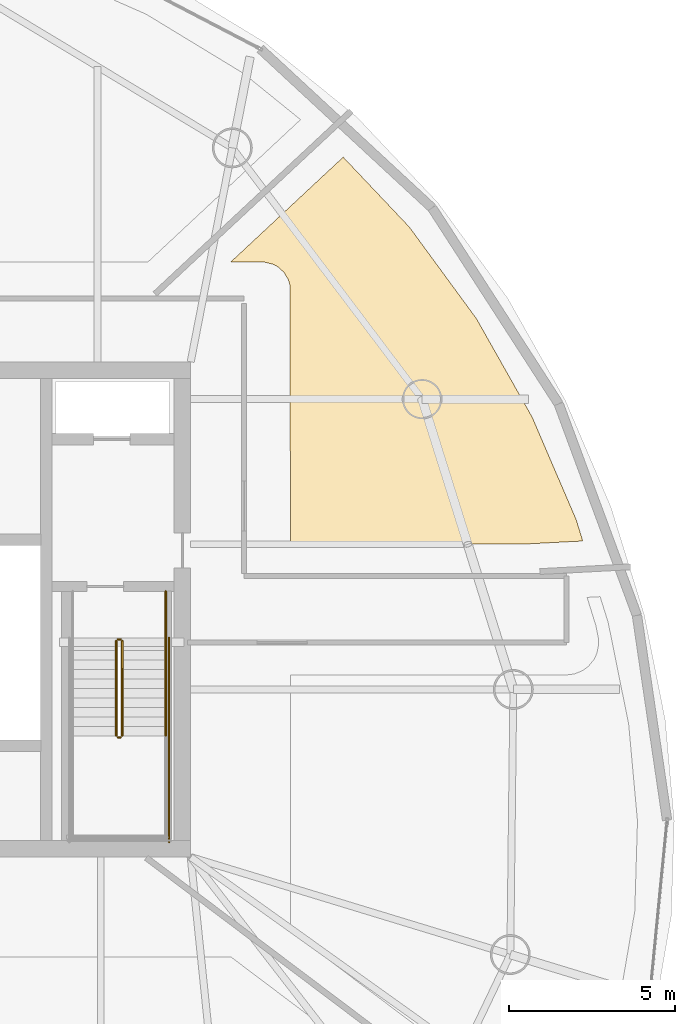
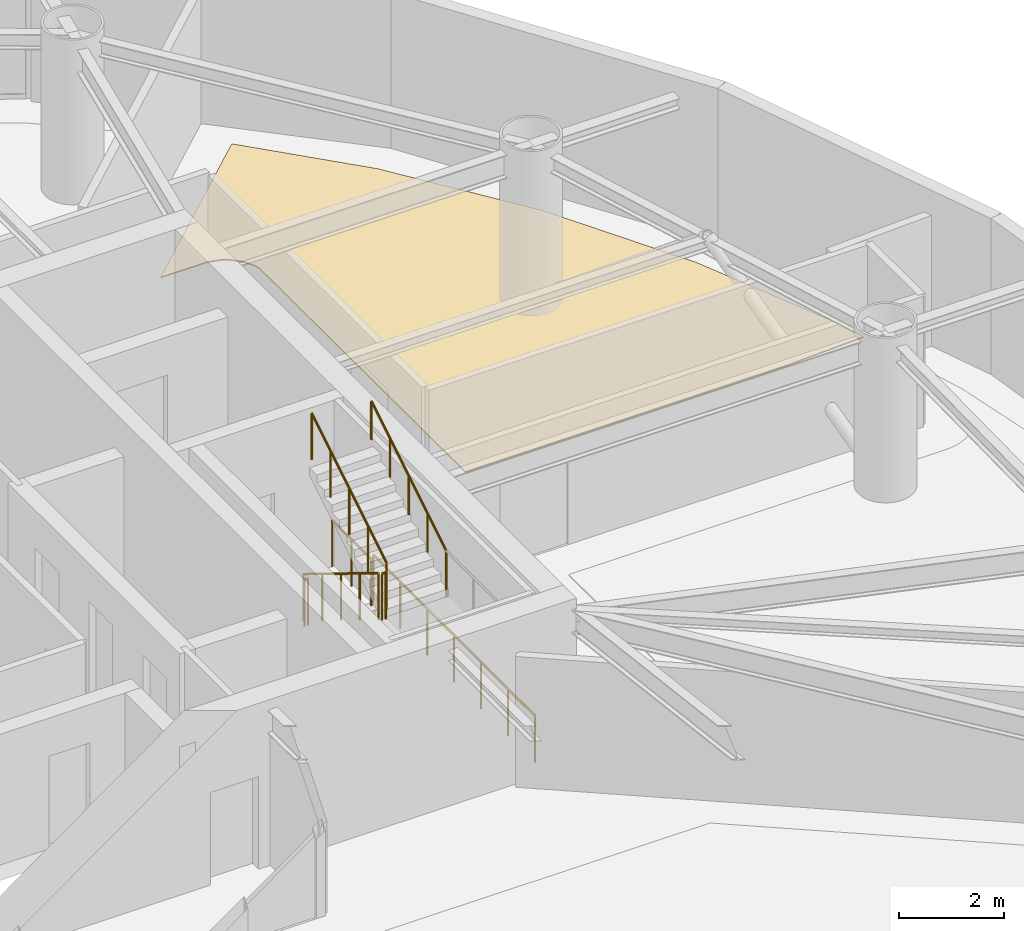
# One storey, part 24 of 25: 7 railings, 1 covering.
"""IFC4 building model written with IfcOpenShell, lengths in metres."""

from ifc_helpers import new_model, si_unit, direction, frame, origin, origin_2d, place, context, subcontext, project, spatial, polyline, circle, outline, extrude, material, layer, layer_set, type_object, element, save


model = new_model("IFC4")

# Units and contexts
model_context = context("Model", 3, precision=1e-05, world=origin(), true_north=direction((0.0, 1.0)))
body_context = subcontext(model_context, "Body", "Model", "MODEL_VIEW")
ifc_project = project(units=[si_unit("LENGTHUNIT", "METRE"), si_unit("AREAUNIT", "SQUARE_METRE"), si_unit("VOLUMEUNIT", "CUBIC_METRE"), si_unit("PLANEANGLEUNIT", "RADIAN"), si_unit("MASSUNIT", "GRAM", prefix="KILO")], contexts=[model_context])

# Site, building, storey
site_placement = place(None, origin())
site = spatial("IfcSite", under=ifc_project, at=site_placement, CompositionType="ELEMENT")
building_placement = place(site_placement, origin())
building = spatial("IfcBuilding", under=site, at=building_placement, Name="Bramvorn Convention Spire", CompositionType="ELEMENT")
storey_placement = place(building_placement, frame((0.0, 0.0, 171.199951171875)))
storey = spatial("IfcBuildingStorey", under=building, at=storey_placement, Name="L43", CompositionType="ELEMENT", Elevation=171.199951171875)

# Covering
ifc_material_1 = material(Name="Honed Dolomitic Limestone Terrazzo Flooring", Category="masonry")
ifc_layer = layer(ifc_material_1, 0.02490234375)
ifc_layer_set = layer_set([ifc_layer], Name="Honed Dolomitic Limestone Terrazzo Flooring - FLR-TERRAZZO-25")
covering_type = type_object("IfcCoveringType", Name="FLR-TERRAZZO-25", PredefinedType="FLOORING", material=ifc_layer_set)
covering_placement = place(storey_placement, origin())
element("IfcCovering", 1, at=covering_placement, inside=storey, type_object=covering_type, Name="L43 High-Rise Reception Concierge 1 raised floor finish", PredefinedType="FLOORING", context=body_context, shape_type="SweptSolid", body=[
    extrude(outline(polyline([(50.45263671875, 36.449951171875), (51.4833984375, 36.44580078125), (51.725341796875, 36.38525390625), (51.872314453125, 36.306640625), (52.05712890625, 36.13916015625), (52.185302734375, 35.92529296875), (52.233642578125, 35.765869140625), (52.25, 27.969970703125), (59.3486328125, 27.969970703125), (61.044189453125, 28.058837890625), (60.841796875, 28.708740234375), (59.519775390625, 31.786865234375), (57.84521484375, 34.746826171875), (55.82568359375, 37.50439453125), (53.8369140625, 39.60595703125), (50.45263671875, 36.449951171875)])), origin(), (0.0, 0.0, 1.0), 0.025146484375),
])

# Railings
ifc_material_2 = material(Name="Painted Steel Balustrade & Guardrail", Category="steel")
railing_type_1 = type_object("IfcRailingType", Name="RL-STAIR-GUARD-1100", PredefinedType="GUARDRAIL", material=ifc_material_2)
railing_1_placement = place(storey_placement, frame((47.010009765625, 25.050048828125, 0.175048828125)))
element("IfcRailing", 2, at=railing_1_placement, inside=storey, type_object=railing_type_1, Name="L43 ST2 stair guard 1", PredefinedType="GUARDRAIL", context=body_context, shape_type="SweptSolid", body=[
    extrude(circle(Radius=0.02392578125, at=origin_2d()), frame((0.0, 0.0, 1.076171875), z_axis=(0.0, -0.852179220489, 0.52325001306), x_axis=(1.0, 0.0, 0.0)), (0.0, 0.0, 1.0), 3.344482421875),
    extrude(circle(Radius=0.02099609375, at=origin_2d()), origin(), (0.0, 0.0, 1.0), 1.052001953125),
    extrude(circle(Radius=0.02099609375, at=origin_2d()), frame((0.0, -0.71240234375, 0.4375)), (0.0, 0.0, 1.0), 1.052001953125),
    extrude(circle(Radius=0.02099609375, at=origin_2d()), frame((0.0, -1.425048828125, 0.875)), (0.0, 0.0, 1.0), 1.052001953125),
    extrude(circle(Radius=0.02099609375, at=origin_2d()), frame((0.0, -2.1376953125, 1.3125)), (0.0, 0.0, 1.0), 1.052001953125),
    extrude(circle(Radius=0.02099609375, at=origin_2d()), frame((0.0, -2.85009765625, 1.75)), (0.0, 0.0, 1.0), 1.052001953125),
])
railing_2_placement = place(storey_placement, frame((47.06005859375, 22.14990234375, 1.925048828125)))
element("IfcRailing", 3, at=railing_2_placement, inside=storey, type_object=railing_type_1, Name="L43 ST2 stair guard 2", PredefinedType="GUARDRAIL", context=body_context, shape_type="SweptSolid", body=[
    extrude(circle(Radius=0.02392578125, at=origin_2d()), frame((0.0, 0.0, 1.076171875), z_axis=(1.0, 0.0, 0.0), x_axis=(0.0, 1.0, 0.0)), (0.0, 0.0, 1.0), 0.079833984375),
    extrude(circle(Radius=0.02099609375, at=origin_2d()), origin(), (0.0, 0.0, 1.0), 1.052001953125),
    extrude(circle(Radius=0.02099609375, at=origin_2d()), frame((0.079833984375, 0.0, 0.0)), (0.0, 0.0, 1.0), 1.052001953125),
])
railing_3_placement = place(storey_placement, frame((47.18994140625, 22.199951171875, 2.10009765625)))
element("IfcRailing", 4, at=railing_3_placement, inside=storey, type_object=railing_type_1, Name="L43 ST2 stair guard 6", PredefinedType="GUARDRAIL", context=body_context, shape_type="SweptSolid", body=[
    extrude(circle(Radius=0.02392578125, at=origin_2d()), frame((0.0, 0.0, 1.076171875), z_axis=(0.0, 0.852179220489, 0.52325001306), x_axis=(-1.0, 0.0, 0.0)), (0.0, 0.0, 1.0), 3.344482421875),
    extrude(circle(Radius=0.02099609375, at=origin_2d()), origin(), (0.0, 0.0, 1.0), 1.052001953125),
    extrude(circle(Radius=0.02099609375, at=origin_2d()), frame((0.0, 0.71240234375, 0.4375)), (0.0, 0.0, 1.0), 1.052001953125),
    extrude(circle(Radius=0.02099609375, at=origin_2d()), frame((0.0, 1.425048828125, 0.875)), (0.0, 0.0, 1.0), 1.052001953125),
    extrude(circle(Radius=0.02099609375, at=origin_2d()), frame((0.0, 2.1376953125, 1.3125)), (0.0, 0.0, 1.0), 1.052001953125),
    extrude(circle(Radius=0.02099609375, at=origin_2d()), frame((0.0, 2.85009765625, 1.75)), (0.0, 0.0, 1.0), 1.052001953125),
])
railing_4_placement = place(storey_placement, frame((47.06005859375, 25.10009765625, 0.0)))
element("IfcRailing", 5, at=railing_4_placement, inside=storey, type_object=railing_type_1, Name="L43 ST2 stair guard 7", PredefinedType="GUARDRAIL", context=body_context, shape_type="SweptSolid", body=[
    extrude(circle(Radius=0.02392578125, at=origin_2d()), frame((0.0, 0.0, 1.076171875), z_axis=(1.0, 0.0, 0.0), x_axis=(0.0, 1.0, 0.0)), (0.0, 0.0, 1.0), 0.079833984375),
    extrude(circle(Radius=0.02099609375, at=origin_2d()), origin(), (0.0, 0.0, 1.0), 1.052001953125),
    extrude(circle(Radius=0.02099609375, at=origin_2d()), frame((0.079833984375, 0.0, 0.0)), (0.0, 0.0, 1.0), 1.052001953125),
])
railing_5_placement = place(storey_placement, frame((48.5, 26.550048828125, 0.0)))
element("IfcRailing", 6, at=railing_5_placement, inside=storey, type_object=railing_type_1, Name="L43 ST2 stair guard 9", PredefinedType="GUARDRAIL", context=body_context, shape_type="SweptSolid", body=[
    extrude(circle(Radius=0.02392578125, at=origin_2d()), frame((0.0, 0.0, 1.076171875), z_axis=(0.0, -1.0, 0.0), x_axis=(1.0, 0.0, 0.0)), (0.0, 0.0, 1.0), 1.5),
    extrude(circle(Radius=0.02099609375, at=origin_2d()), origin(), (0.0, 0.0, 1.0), 1.052001953125),
    extrude(circle(Radius=0.02099609375, at=origin_2d()), frame((0.0, -0.75, 0.0)), (0.0, 0.0, 1.0), 1.052001953125),
    extrude(circle(Radius=0.02099609375, at=origin_2d()), frame((0.0, -1.5, 0.0)), (0.0, 0.0, 1.0), 1.052001953125),
])
railing_6_placement = place(storey_placement, frame((48.60009765625, 25.14990234375, 0.0)))
element("IfcRailing", 7, at=railing_6_placement, inside=storey, type_object=railing_type_1, Name="L43 ST2 stair guard 11", PredefinedType="GUARDRAIL", context=body_context, shape_type="SweptSolid", body=[
    extrude(circle(Radius=0.02392578125, at=origin_2d()), frame((0.0, 0.0, 1.076171875), z_axis=(0.0, -1.0, 0.0), x_axis=(1.0, 0.0, 0.0)), (0.0, 0.0, 1.0), 6.14990234375),
    extrude(circle(Radius=0.02099609375, at=origin_2d()), origin(), (0.0, 0.0, 1.0), 1.052001953125),
    extrude(circle(Radius=0.02099609375, at=origin_2d()), frame((0.0, -1.02490234375, 0.0)), (0.0, 0.0, 1.0), 1.052001953125),
    extrude(circle(Radius=0.02099609375, at=origin_2d()), frame((0.0, -2.050048828125, 0.0)), (0.0, 0.0, 1.0), 1.052001953125),
    extrude(circle(Radius=0.02099609375, at=origin_2d()), frame((0.0, -3.074951171875, 0.0)), (0.0, 0.0, 1.0), 1.052001953125),
    extrude(circle(Radius=0.02099609375, at=origin_2d()), frame((0.0, -4.099853515625, 0.0)), (0.0, 0.0, 1.0), 1.052001953125),
    extrude(circle(Radius=0.02099609375, at=origin_2d()), frame((0.0, -5.125, 0.0)), (0.0, 0.0, 1.0), 1.052001953125),
    extrude(circle(Radius=0.02099609375, at=origin_2d()), frame((0.0, -6.14990234375, 0.0)), (0.0, 0.0, 1.0), 1.052001953125),
])
ifc_material_3 = material(Name="Brushed Bronze Tubular Handrail", Category="aluminium")
railing_type_2 = type_object("IfcRailingType", Name="RL-STAIR-HR-920", PredefinedType="HANDRAIL", material=ifc_material_3)
railing_7_placement = place(storey_placement, frame((48.5, 22.199951171875, 2.10009765625)))
element("IfcRailing", 8, at=railing_7_placement, inside=storey, type_object=railing_type_2, Name="L43 ST2 stair handrail 2", PredefinedType="HANDRAIL", context=body_context, shape_type="SweptSolid", body=[
    extrude(circle(Radius=0.02392578125, at=origin_2d()), frame((0.0, 0.0, 0.89599609375), z_axis=(0.0, 0.852179220489, 0.52325001306), x_axis=(-1.0, 0.0, 0.0)), (0.0, 0.0, 1.0), 3.344482421875),
    extrude(circle(Radius=0.02099609375, at=origin_2d()), origin(), (0.0, 0.0, 1.0), 0.871826171875),
    extrude(circle(Radius=0.02099609375, at=origin_2d()), frame((0.0, 0.71240234375, 0.4375)), (0.0, 0.0, 1.0), 0.871826171875),
    extrude(circle(Radius=0.02099609375, at=origin_2d()), frame((0.0, 1.425048828125, 0.875)), (0.0, 0.0, 1.0), 0.871826171875),
    extrude(circle(Radius=0.02099609375, at=origin_2d()), frame((0.0, 2.1376953125, 1.3125)), (0.0, 0.0, 1.0), 0.871826171875),
    extrude(circle(Radius=0.02099609375, at=origin_2d()), frame((0.0, 2.85009765625, 1.75)), (0.0, 0.0, 1.0), 0.871826171875),
])

save(model, "model.ifc")
